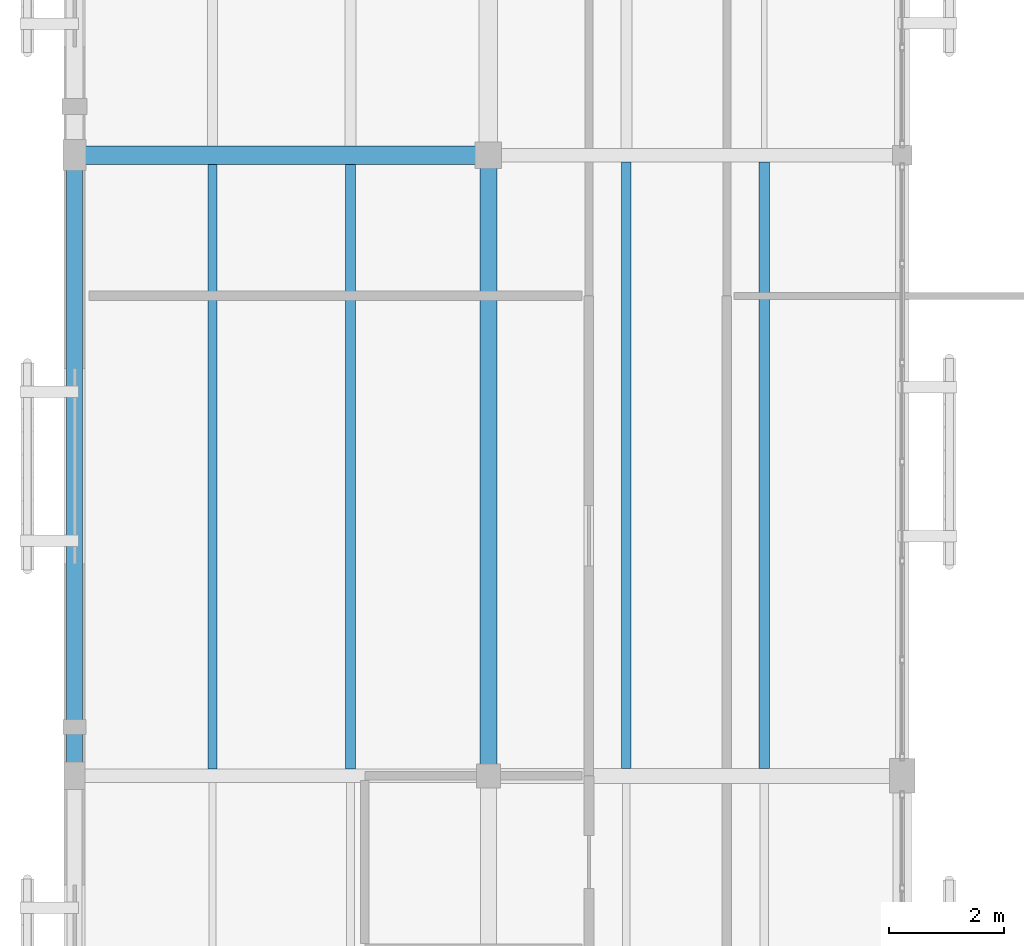
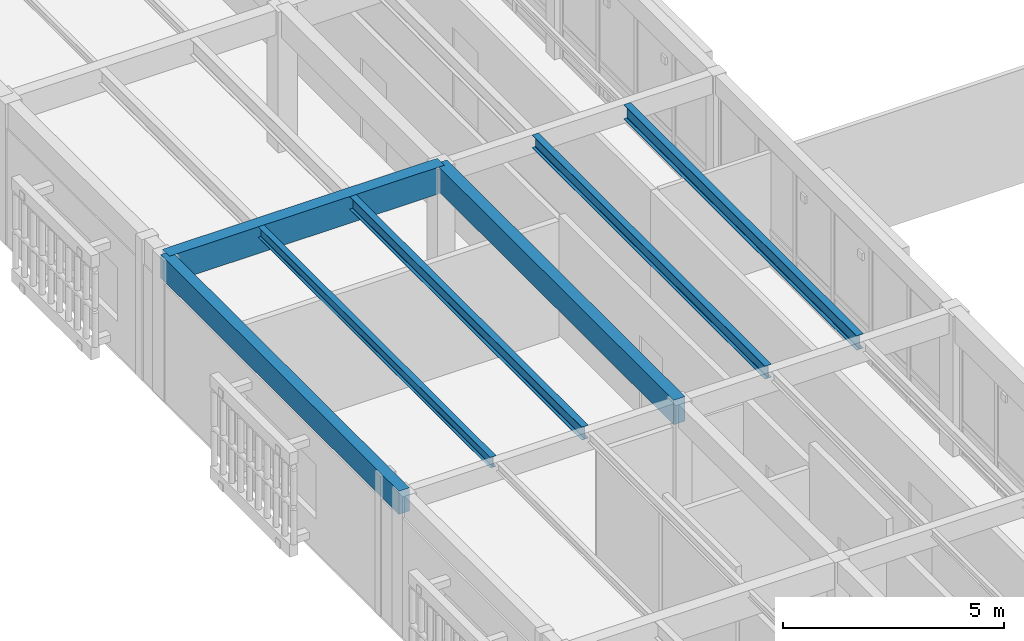
# One storey, part 29 of 217: 7 beams.
"""IFC4 building model written with IfcOpenShell, lengths in metres."""

from ifc_helpers import new_model, si_unit, direction, frame, origin, origin_2d, place, context, subcontext, project, spatial, rectangle, i_section, extrude, material, material_profile, profile_set, type_object, element, save


model = new_model("IFC4")

# Units and contexts
model_context = context("Model", 3, precision=1e-05, world=origin(), true_north=direction((0.0, 1.0)))
body_context = subcontext(model_context, "Body", "Model", "MODEL_VIEW")
ifc_project = project(units=[si_unit("LENGTHUNIT", "METRE"), si_unit("AREAUNIT", "SQUARE_METRE"), si_unit("VOLUMEUNIT", "CUBIC_METRE"), si_unit("PLANEANGLEUNIT", "RADIAN"), si_unit("MASSUNIT", "GRAM", prefix="KILO")], contexts=[model_context])

# Site, building, storey
site_placement = place(None, origin())
site = spatial("IfcSite", under=ifc_project, at=site_placement, CompositionType="ELEMENT")
building_placement = place(site_placement, origin())
building = spatial("IfcBuilding", under=site, at=building_placement, Name="Mazaris Harbour Polytechnic", CompositionType="ELEMENT")
storey_placement = place(building_placement, frame((0.0, 0.0, 9.60009765625)))
storey = spatial("IfcBuildingStorey", under=building, at=storey_placement, Name="L02", CompositionType="ELEMENT", Elevation=9.60009765625)

# Beams
ifc_material_1 = material(Name="Glulam GL32h", Category="wood")
ifc_material_profile_1 = material_profile(ifc_material_1, rectangle(XDim=0.280029296875, YDim=0.639892578125, at=origin_2d()), Name="RECT280x640")
ifc_profile_set_1 = profile_set([ifc_material_profile_1], Name="Glulam GL32h")
beam_type_1 = type_object("IfcBeamType", Name="Glulam Girder 280x640 Exterior", PredefinedType="BEAM", material=ifc_profile_set_1)
beam_1_placement = place(storey_placement, frame((0.0, 43.199951171875, 3.56982421875), z_axis=(0.0, 1.0, 0.0), x_axis=(-1.0, 0.0, 0.0)))
element("IfcBeam", 1, at=beam_1_placement, inside=storey, type_object=beam_type_1, Name="V4 L02 Tie Girder 1972", PredefinedType="BEAM", context=body_context, shape_type="SweptSolid", body=[
    extrude(rectangle(XDim=0.280029296875, YDim=0.639892578125, at=origin_2d()), origin(), (0.0, 0.0, 1.0), 10.800048828125),
])
ifc_material_2 = material(Name="Glulam GL32h", Category="wood")
ifc_material_profile_2 = material_profile(ifc_material_2, rectangle(XDim=0.300048828125, YDim=0.679931640625, at=origin_2d()), Name="RECT300x680")
ifc_profile_set_2 = profile_set([ifc_material_profile_2], Name="Glulam GL32h")
beam_type_2 = type_object("IfcBeamType", Name="Glulam Girder 300x680", PredefinedType="BEAM", material=ifc_profile_set_2)
beam_2_placement = place(storey_placement, frame((7.199951171875, 43.199951171875, 3.5498046875), z_axis=(0.0, 1.0, 0.0), x_axis=(-1.0, 0.0, 0.0)))
element("IfcBeam", 2, at=beam_2_placement, inside=storey, type_object=beam_type_2, Name="V4 L02 Tie Girder 1983", PredefinedType="BEAM", context=body_context, shape_type="SweptSolid", body=[
    extrude(rectangle(XDim=0.300048828125, YDim=0.679931640625, at=origin_2d()), origin(), (0.0, 0.0, 1.0), 10.800048828125),
])
ifc_material_3 = material(Name="Glulam GL32h", Category="wood")
ifc_material_profile_3 = material_profile(ifc_material_3, rectangle(XDim=0.320068359375, YDim=0.739990234375, at=origin_2d()), Name="RECT320x740")
ifc_profile_set_3 = profile_set([ifc_material_profile_3], Name="Glulam GL32h")
beam_type_3 = type_object("IfcBeamType", Name="Glulam Girder 320x740", PredefinedType="BEAM", material=ifc_profile_set_3)
beam_3_placement = place(storey_placement, frame((0.0, 54.0, 3.52001953125), z_axis=(1.0, 0.0, 0.0), x_axis=(0.0, 1.0, 0.0)))
element("IfcBeam", 3, at=beam_3_placement, inside=storey, type_object=beam_type_3, Name="V4 L02 Girder 1929", PredefinedType="BEAM", context=body_context, shape_type="SweptSolid", body=[
    extrude(rectangle(XDim=0.320068359375, YDim=0.739990234375, at=origin_2d()), origin(), (0.0, 0.0, 1.0), 7.199951171875),
])
ifc_material_4 = material(Name="Steel S355", Category="steel")
ifc_material_profile_4 = material_profile(ifc_material_4, i_section(OverallWidth=0.14990234375, OverallDepth=0.300048828125, WebThickness=0.007080078125, FlangeThickness=0.0107421875, FilletRadius=0.014892578125, at=origin_2d()), Name="IPE 300")
ifc_profile_set_4 = profile_set([ifc_material_profile_4], Name="Steel S355")
beam_type_4 = type_object("IfcBeamType", Name="Steel Joist IPE300", PredefinedType="JOIST", material=ifc_profile_set_4)
beam_4_placement = place(storey_placement, frame((2.39990234375, 43.320068359375, 3.739990234375), z_axis=(0.0, 1.0, 0.0), x_axis=(-1.0, 0.0, 0.0)))
element("IfcBeam", 4, at=beam_4_placement, inside=storey, type_object=beam_type_4, Name="V4 L02 Floor Joist 2054", PredefinedType="JOIST", context=body_context, shape_type="SweptSolid", body=[
    extrude(i_section(OverallWidth=0.14990234375, OverallDepth=0.300048828125, WebThickness=0.007080078125, FlangeThickness=0.0107421875, FilletRadius=0.014892578125, at=origin_2d()), origin(), (0.0, 0.0, 1.0), 10.52001953125),
])
ifc_material_5 = material(Name="Steel S355", Category="steel")
ifc_material_profile_5 = material_profile(ifc_material_5, i_section(OverallWidth=0.169921875, OverallDepth=0.360107421875, WebThickness=0.008056640625, FlangeThickness=0.0126953125, FilletRadius=0.01806640625, at=origin_2d()), Name="IPE 360")
ifc_profile_set_5 = profile_set([ifc_material_profile_5], Name="Steel S355")
beam_type_5 = type_object("IfcBeamType", Name="Steel Joist IPE360", PredefinedType="JOIST", material=ifc_profile_set_5)
beam_5_placement = place(storey_placement, frame((4.800048828125, 43.320068359375, 3.7099609375), z_axis=(0.0, 1.0, 0.0), x_axis=(-1.0, 0.0, 0.0)))
element("IfcBeam", 5, at=beam_5_placement, inside=storey, type_object=beam_type_5, Name="V4 L02 Floor Joist 2055", PredefinedType="JOIST", context=body_context, shape_type="SweptSolid", body=[
    extrude(i_section(OverallWidth=0.169921875, OverallDepth=0.360107421875, WebThickness=0.008056640625, FlangeThickness=0.0126953125, FilletRadius=0.01806640625, at=origin_2d()), origin(), (0.0, 0.0, 1.0), 10.52001953125),
])
beam_6_placement = place(storey_placement, frame((9.60009765625, 43.330078125, 3.7099609375), z_axis=(0.0, 1.0, 0.0), x_axis=(-1.0, 0.0, 0.0)))
element("IfcBeam", 6, at=beam_6_placement, inside=storey, type_object=beam_type_5, Name="V4 L02 Floor Joist 2076", PredefinedType="JOIST", context=body_context, shape_type="SweptSolid", body=[
    extrude(i_section(OverallWidth=0.169921875, OverallDepth=0.360107421875, WebThickness=0.008056640625, FlangeThickness=0.0126953125, FilletRadius=0.01806640625, at=origin_2d()), origin(), (0.0, 0.0, 1.0), 10.5498046875),
])
ifc_material_6 = material(Name="Steel S355", Category="steel")
ifc_material_profile_6 = material_profile(ifc_material_6, i_section(OverallWidth=0.179931640625, OverallDepth=0.39990234375, WebThickness=0.008544921875, FlangeThickness=0.013427734375, FilletRadius=0.02099609375, at=origin_2d()), Name="IPE 400")
ifc_profile_set_6 = profile_set([ifc_material_profile_6], Name="Steel S355")
beam_type_6 = type_object("IfcBeamType", Name="Steel Joist IPE400", PredefinedType="JOIST", material=ifc_profile_set_6)
beam_7_placement = place(storey_placement, frame((12.0, 43.330078125, 3.68994140625), z_axis=(0.0, 1.0, 0.0), x_axis=(-1.0, 0.0, 0.0)))
element("IfcBeam", 7, at=beam_7_placement, inside=storey, type_object=beam_type_6, Name="V4 L02 Floor Joist 2077", PredefinedType="JOIST", context=body_context, shape_type="SweptSolid", body=[
    extrude(i_section(OverallWidth=0.179931640625, OverallDepth=0.39990234375, WebThickness=0.008544921875, FlangeThickness=0.013427734375, FilletRadius=0.02099609375, at=origin_2d()), origin(), (0.0, 0.0, 1.0), 10.5498046875),
])

save(model, "model.ifc")
